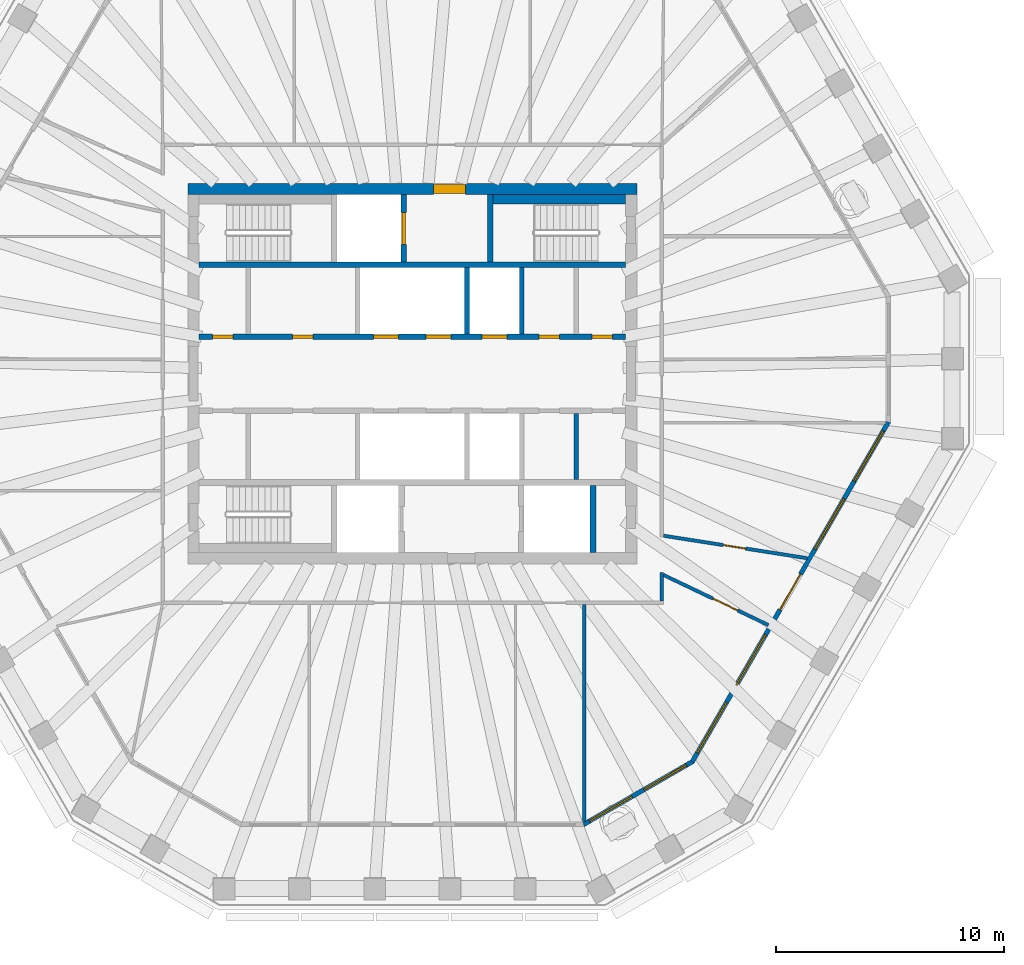
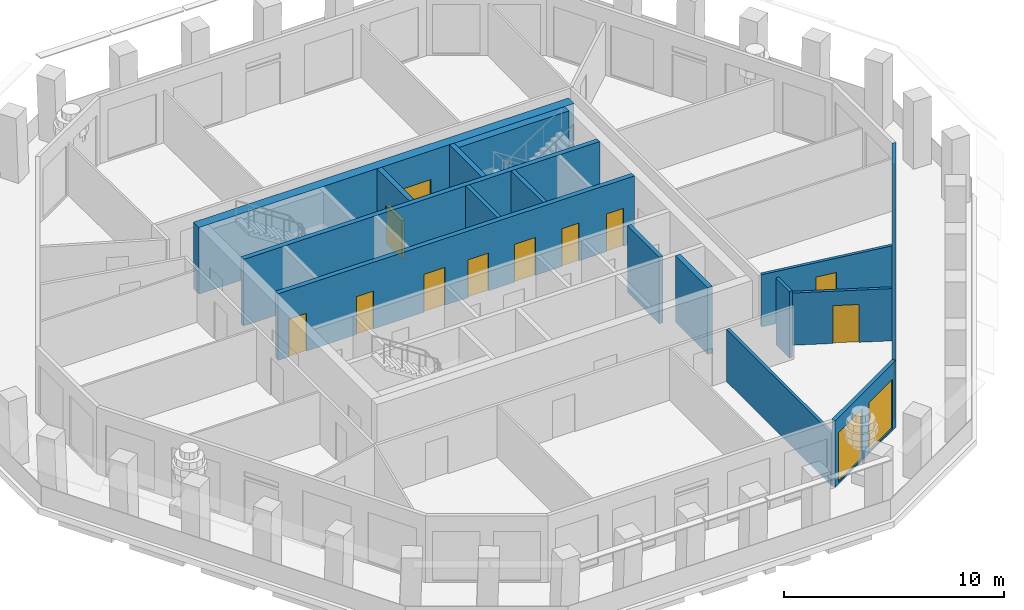
# One storey, part 5 of 11: 16 walls, 12 doors, 7 windows, 19 openings.
"""IFC4 building model written with IfcOpenShell, lengths in metres."""

import ifcopenshell
import ifcopenshell.guid

model = None  # the IFC model being written
_history = None  # IfcOwnerHistory: only IFC2X3 demands one
_inside = {}  # id of a spatial element -> (the spatial element, [elements in it])
_under = {}  # id of a project, library or spatial element -> (it, [spatial elements below it])
_declared = {}  # id of a project -> (the project, [libraries it declares])
_typed = {}  # id of a type object -> (the type object, [elements of that type])
_made_of = {}  # id of a material, layer set ... -> (it, [elements and type objects made of it])


def new_model(schema):
    """Start an empty IFC model of exactly this schema.

    Asked for "IFC4X3", IfcOpenShell would pick the latest addendum, in which some entities
    have other attributes; the version numbers below select the first issue.
    IFC2X3 requires an IfcOwnerHistory on every rooted entity: one is made here for all.
    """
    global model, _history
    if schema == "IFC4X3":
        model = ifcopenshell.file(schema_version=(4, 3, 0, 0))
    else:
        model = ifcopenshell.file(schema=schema)
    _inside.clear()
    _under.clear()
    _declared.clear()
    _typed.clear()
    _made_of.clear()
    _history = None
    if model.schema == "IFC2X3":
        org = make("IfcOrganization", Name="unknown")
        user = make(
            "IfcPersonAndOrganization",
            ThePerson=make("IfcPerson", FamilyName="unknown"),
            TheOrganization=org,
        )
        app = make(
            "IfcApplication",
            ApplicationDeveloper=org,
            Version="unknown",
            ApplicationFullName="unknown",
            ApplicationIdentifier="unknown",
        )
        _history = make(
            "IfcOwnerHistory",
            OwningUser=user,
            OwningApplication=app,
            ChangeAction="ADDED",
            CreationDate=0,
        )
    return model


def make(cls, **values):
    """One entity of the class cls with the attributes given. An attribute that is None is left unset."""
    return model.create_entity(
        cls, **{name: value for name, value in values.items() if value is not None}
    )


def rooted(cls, **values):
    """An entity with a GlobalId (a new one), such as an element, a storey or a relation."""
    return make(cls, GlobalId=ifcopenshell.guid.new(), OwnerHistory=_history, **values)


def si_unit(unit_type, name, prefix=None):
    """IfcSIUnit, for example si_unit("LENGTHUNIT", "METRE", prefix="MILLI")."""
    return make("IfcSIUnit", UnitType=unit_type, Prefix=prefix, Name=name)


def assignment(units):
    """IfcUnitAssignment: the units of a project."""
    return None if units is None else make("IfcUnitAssignment", Units=units)


def point(xyz):
    """IfcCartesianPoint."""
    return None if xyz is None else make("IfcCartesianPoint", Coordinates=xyz)


def direction(xyz):
    """IfcDirection."""
    return None if xyz is None else make("IfcDirection", DirectionRatios=xyz)


def frame(location, z_axis=None, x_axis=None):
    """IfcAxis2Placement3D, a coordinate frame: its origin and axes. An axis left out is left unset."""
    return make(
        "IfcAxis2Placement3D",
        Location=point(location),
        Axis=direction(z_axis),
        RefDirection=direction(x_axis),
    )


def frame_2d(location, x_axis=None):
    """IfcAxis2Placement2D, a coordinate frame in the plane: its origin and x axis."""
    return make(
        "IfcAxis2Placement2D", Location=point(location), RefDirection=direction(x_axis)
    )


def origin():
    """The frame at (0, 0, 0) with its axes left unset."""
    return frame((0.0, 0.0, 0.0))


def place(relative_to, where):
    """IfcLocalPlacement: puts the frame where relative to a parent placement (None: the world)."""
    return make(
        "IfcLocalPlacement", PlacementRelTo=relative_to, RelativePlacement=where
    )


def context(
    kind, dimensions, precision=None, world=None, true_north=None, identifier=None
):
    """IfcGeometricRepresentationContext, for example the 3D "Model" context."""
    return make(
        "IfcGeometricRepresentationContext",
        ContextIdentifier=identifier,
        ContextType=kind,
        CoordinateSpaceDimension=dimensions,
        Precision=precision,
        WorldCoordinateSystem=world,
        TrueNorth=true_north,
    )


def subcontext(parent, identifier, kind, view, scale=None):
    """IfcGeometricRepresentationSubContext, for example "Body" below "Model"."""
    return make(
        "IfcGeometricRepresentationSubContext",
        ContextIdentifier=identifier,
        ContextType=kind,
        ParentContext=parent,
        TargetScale=scale,
        TargetView=view,
    )


def project(units=None, contexts=None):
    """IfcProject with its units and contexts."""
    return rooted(
        "IfcProject",
        Name="project",
        RepresentationContexts=contexts,
        UnitsInContext=assignment(units),
    )


def spatial(cls, under=None, at=None, **own):
    """A site, building, storey or space (cls), placed at a placement, below another one or the project."""
    s = rooted(cls, ObjectPlacement=at, **own)
    if under is not None:
        _under.setdefault(under.id(), (under, []))[1].append(s)
    return s


def polyline(points):
    """IfcPolyline through the points."""
    return make("IfcPolyline", Points=[point(p) for p in points])


def profile(cls, at=None, kind="AREA", **sizes):
    """A parametric profile (cls). Its sizes go by their IFC names, for example OverallWidth=200.0."""
    return make(cls, ProfileType=kind, Position=at, **sizes)


def rectangle(**sizes):
    """IfcRectangleProfileDef."""
    return profile("IfcRectangleProfileDef", **sizes)


def outline(outer, holes=None, kind="AREA"):
    """IfcArbitraryClosedProfileDef: a profile drawn as a closed curve; with holes, ...WithVoids."""
    if holes is None:
        return make("IfcArbitraryClosedProfileDef", ProfileType=kind, OuterCurve=outer)
    return make(
        "IfcArbitraryProfileDefWithVoids",
        ProfileType=kind,
        OuterCurve=outer,
        InnerCurves=holes,
    )


def extrude(swept, where, along, depth):
    """IfcExtrudedAreaSolid: the profile swept, set in the frame where, extruded along a direction by depth."""
    return make(
        "IfcExtrudedAreaSolid",
        SweptArea=swept,
        Position=where,
        ExtrudedDirection=direction(along),
        Depth=depth,
    )


def shape(context_of_items, identifier, shape_type, items):
    """IfcShapeRepresentation: the items that make up one representation, for example the "Body"."""
    return make(
        "IfcShapeRepresentation",
        ContextOfItems=context_of_items,
        RepresentationIdentifier=identifier,
        RepresentationType=shape_type,
        Items=items,
    )


def material(Name=None, Category=None):
    """IfcMaterial."""
    return make("IfcMaterial", Name=Name, Category=Category)


def layer(
    of_material, thickness, ventilated=None, Name=None, Category=None, Priority=None
):
    """IfcMaterialLayer: one layer of a wall or slab, of a material (None: an air gap)."""
    return make(
        "IfcMaterialLayer",
        Material=of_material,
        LayerThickness=thickness,
        IsVentilated=ventilated,
        Name=Name,
        Category=Category,
        Priority=Priority,
    )


def layer_set(layers, Name=None):
    """IfcMaterialLayerSet."""
    return make("IfcMaterialLayerSet", MaterialLayers=layers, LayerSetName=Name)


def made_of(thing, what):
    """Note that an element or type object is made of a material, layer set ...; save() writes the relation."""
    if what is not None:
        _made_of.setdefault(what.id(), (what, []))[1].append(thing)
    return thing


def type_object(cls, material=None, **own):
    """A type object (cls), such as IfcWallType, which elements share."""
    return made_of(rooted(cls, **own), material)


def element(
    cls,
    number,
    at=None,
    inside=None,
    cuts=None,
    type_object=None,
    material=None,
    context=None,
    identifier="Body",
    shape_type=None,
    held_by="IfcProductDefinitionShape",
    body=None,
    shapes=None,
    **own,
):
    """One element of the class cls, such as IfcWall. Its Tag is "e" and its number.

    at: its placement. inside: the storey or other place that contains it. cuts: it is an
    opening in that element (IfcRelVoidsElement). A single representation is given by context,
    identifier, shape_type and body (its items); several are given by shapes. held_by: the class
    of the entity that holds the representations. save() writes the other relations.
    """
    e = rooted(cls, Tag="e%d" % number, ObjectPlacement=at, **own)
    if body is not None:
        shapes = [shape(context, identifier, shape_type, body)]
    if shapes is not None:
        e.Representation = make(held_by, Representations=shapes)
    if inside is not None:
        _inside.setdefault(inside.id(), (inside, []))[1].append(e)
    if cuts is not None:
        rooted(
            "IfcRelVoidsElement", RelatingBuildingElement=cuts, RelatedOpeningElement=e
        )
    if type_object is not None:
        _typed.setdefault(type_object.id(), (type_object, []))[1].append(e)
    return made_of(e, material)


def fill(opening, filler):
    """IfcRelFillsElement: the door or window that sits in an opening."""
    return rooted(
        "IfcRelFillsElement",
        RelatingOpeningElement=opening,
        RelatedBuildingElement=filler,
    )


def aggregate(whole, parts):
    """IfcRelAggregates: a whole, such as a stair, and the parts it consists of."""
    return rooted("IfcRelAggregates", RelatingObject=whole, RelatedObjects=parts)


def save(model, path):
    """Write the relations noted so far, then the file.

    IfcRelAggregates (storeys below a building ...), IfcRelContainedInSpatialStructure (elements
    in a storey), IfcRelDefinesByType, IfcRelAssociatesMaterial and IfcRelDeclares: one each for
    every whole, place, type object, material and project.
    """
    for whole, parts in _under.values():
        aggregate(whole, parts)
    for where, things in _inside.values():
        rooted(
            "IfcRelContainedInSpatialStructure",
            RelatedElements=things,
            RelatingStructure=where,
        )
    for kind, things in _typed.values():
        rooted("IfcRelDefinesByType", RelatedObjects=things, RelatingType=kind)
    for what, things in _made_of.values():
        rooted("IfcRelAssociatesMaterial", RelatedObjects=things, RelatingMaterial=what)
    for by, libraries in _declared.values():
        rooted("IfcRelDeclares", RelatingContext=by, RelatedDefinitions=libraries)
    model.write(path)


model = new_model("IFC4")

# Units and contexts
model_context = context("Model", 3, precision=1e-05, world=origin(), true_north=direction((0.0, 1.0)))
body_context = subcontext(model_context, "Body", "Model", "MODEL_VIEW")
ifc_project = project(units=[si_unit("LENGTHUNIT", "METRE"), si_unit("AREAUNIT", "SQUARE_METRE"), si_unit("VOLUMEUNIT", "CUBIC_METRE"), si_unit("PLANEANGLEUNIT", "RADIAN"), si_unit("MASSUNIT", "GRAM", prefix="KILO")], contexts=[model_context])

# Site, building, storey
site_placement = place(None, origin())
site = spatial("IfcSite", under=ifc_project, at=site_placement, CompositionType="ELEMENT")
building_placement = place(site_placement, origin())
building = spatial("IfcBuilding", under=site, at=building_placement, Name="Frailejon Research Tower", CompositionType="ELEMENT")
storey_placement = place(building_placement, frame((0.0, 0.0, 283.0)))
storey = spatial("IfcBuildingStorey", under=building, at=storey_placement, Name="L62", CompositionType="ELEMENT", Elevation=283.0)

# Wall, opening, door
ifc_material_1 = material(Name="Concrete C50/60", Category="concrete")
ifc_layer_1 = layer(ifc_material_1, 0.5)
ifc_layer_set_1 = layer_set([ifc_layer_1], Name="Core shear wall 500 C50/60")
wall_type_1 = type_object("IfcWallType", Name="Core shear wall 500 C50/60", PredefinedType="SHEAR", material=ifc_layer_set_1)
wall_1_placement = place(storey_placement, frame((-9.85009765625, 8.10009765625, 0.0), z_axis=(0.0, 0.0, 1.0), x_axis=(1.0, 0.0, 0.0)))
wall_1 = element("IfcWall", 1, at=wall_1_placement, inside=storey, type_object=wall_type_1, Name="Core shear wall", PredefinedType="SHEAR", context=body_context, shape_type="SweptSolid", body=[
    extrude(rectangle(XDim=19.7001953125, YDim=0.5, at=frame_2d((9.85009765625, 0.0))), origin(), (0.0, 0.0, 1.0), 3.699951171875),
])
opening_1_placement = place(wall_1_placement, frame((10.77490234375, 0.0, 0.0)))
opening_1 = element("IfcOpeningElement", 2, at=opening_1_placement, cuts=wall_1, Name="Opening D9", PredefinedType="OPENING", context=body_context, shape_type="SweptSolid", body=[
    extrude(rectangle(XDim=1.39990234375, YDim=2.10009765625, at=frame_2d((0.699951171875, 1.050048828125))), frame((0.0, 0.260009765625, 0.0), z_axis=(0.0, -1.0, 0.0), x_axis=(1.0, 0.0, 0.0)), (0.0, 0.0, 1.0), 0.52001953125),
])
ifc_material_2 = material(Name="Steel", Category="steel")
door_type_1 = type_object("IfcDoorType", Name="Goods lobby door", OperationType="DOUBLE_DOOR_SINGLE_SWING", PredefinedType="DOOR", material=ifc_material_2)
door_1_placement = place(opening_1_placement, origin())
door_1 = element("IfcDoor", 3, at=door_1_placement, inside=storey, type_object=door_type_1, Name="Goods lobby door", OperationType="DOUBLE_DOOR_SINGLE_SWING", OverallHeight=2.10009765625, OverallWidth=1.39990234375, PredefinedType="DOOR", context=body_context, shape_type="SweptSolid", body=[
    extrude(rectangle(XDim=1.39990234375, YDim=2.10009765625, at=frame_2d((0.699951171875, 1.050048828125))), frame((0.0, 0.199951171875, 0.0), z_axis=(0.0, -1.0, 0.0), x_axis=(1.0, 0.0, 0.0)), (0.0, 0.0, 1.0), 0.39990234375),
])
fill(opening_1, door_1)

ifc_material_3 = material(Name="Gypsum board and masonry partition", Category="masonry")
ifc_layer_2 = layer(ifc_material_3, 0.14990234375)
ifc_layer_set_2 = layer_set([ifc_layer_2], Name="Corridor wall EI 60, gypsum on steel studs 150")
wall_type_2 = type_object("IfcWallType", Name="Corridor wall EI 60, gypsum on steel studs 150", PredefinedType="PARTITIONING", material=ifc_layer_set_2)
wall_2_placement = place(storey_placement, frame((11.017578125, -8.832275390625, 0.0), z_axis=(0.0, 0.0, 1.0), x_axis=(0.902358965465, -0.430985263605, 0.0)))
wall_2 = element("IfcWall", 4, at=wall_2_placement, inside=storey, type_object=wall_type_2, Name="T:IW:L62:003", PredefinedType="PARTITIONING", context=body_context, shape_type="SweptSolid", body=[
    extrude(rectangle(XDim=5.10791015625, YDim=0.14990234375, at=frame_2d((2.553955078125, 0.0))), origin(), (0.0, 0.0, 1.0), 2.89990234375),
])
opening_2_placement = place(wall_2_placement, frame((2.40869140625, 0.0, 0.0)))
opening_2 = element("IfcOpeningElement", 5, at=opening_2_placement, cuts=wall_2, Name="Opening D2202", PredefinedType="OPENING", context=body_context, shape_type="SweptSolid", body=[
    extrude(rectangle(XDim=1.199951171875, YDim=2.10009765625, at=frame_2d((0.60009765625, 1.050048828125))), frame((0.0, 0.0849609375, 0.0), z_axis=(0.0, -1.0, 0.0), x_axis=(1.0, 0.0, 0.0)), (0.0, 0.0, 1.0), 0.169921875),
])
ifc_material_4 = material(Name="Timber door leaf", Category="wood")
door_type_2 = type_object("IfcDoorType", Name="Door laboratory, timber, vision panel 1200", OperationType="NOTDEFINED", PredefinedType="DOOR", material=ifc_material_4)
door_2_placement = place(opening_2_placement, origin())
door_2 = element("IfcDoor", 6, at=door_2_placement, inside=storey, type_object=door_type_2, Name="D2202", OperationType="DOUBLE_DOOR_SINGLE_SWING", OverallHeight=2.10009765625, OverallWidth=1.199951171875, PredefinedType="DOOR", context=body_context, shape_type="SweptSolid", body=[
    extrude(rectangle(XDim=1.199951171875, YDim=2.10009765625, at=frame_2d((0.60009765625, 1.050048828125))), frame((0.0, 0.02490234375, 0.0), z_axis=(0.0, -1.0, 0.0), x_axis=(1.0, 0.0, 0.0)), (0.0, 0.0, 1.0), 0.050048828125),
])
fill(opening_2, door_2)

wall_3_placement = place(storey_placement, frame((11.024169921875, -7.111572265625, 0.0), z_axis=(0.0, 0.0, 1.0), x_axis=(0.987981529177, -0.154571983245, 0.0)))
wall_3 = element("IfcWall", 7, at=wall_3_placement, inside=storey, type_object=wall_type_2, Name="T:IW:L62:004", PredefinedType="PARTITIONING", context=body_context, shape_type="SweptSolid", body=[
    extrude(rectangle(XDim=6.374755859375, YDim=0.14990234375, at=frame_2d((3.1875, 0.0))), origin(), (0.0, 0.0, 1.0), 2.89990234375),
])
opening_3_placement = place(wall_3_placement, frame((2.64990234375, 0.0, 0.0)))
opening_3 = element("IfcOpeningElement", 8, at=opening_3_placement, cuts=wall_3, Name="Opening D2203", PredefinedType="OPENING", context=body_context, shape_type="SweptSolid", body=[
    extrude(rectangle(XDim=1.0, YDim=2.10009765625, at=frame_2d((0.5, 1.050048828125))), frame((0.0, 0.0849609375, 0.0), z_axis=(0.0, -1.0, 0.0), x_axis=(1.0, 0.0, 0.0)), (0.0, 0.0, 1.0), 0.169921875),
])
ifc_material_5 = material(Name="Timber door leaf", Category="wood")
door_type_3 = type_object("IfcDoorType", Name="Door single leaf, timber, steel frame 1000", OperationType="NOTDEFINED", PredefinedType="DOOR", material=ifc_material_5)
door_3_placement = place(opening_3_placement, origin())
door_3 = element("IfcDoor", 9, at=door_3_placement, inside=storey, type_object=door_type_3, Name="D2203", OperationType="SINGLE_SWING_LEFT", OverallHeight=2.10009765625, OverallWidth=1.0, PredefinedType="DOOR", context=body_context, shape_type="SweptSolid", body=[
    extrude(rectangle(XDim=1.0, YDim=2.10009765625, at=frame_2d((0.5, 1.050048828125))), frame((0.0, 0.02490234375, 0.0), z_axis=(0.0, -1.0, 0.0), x_axis=(1.0, 0.0, 0.0)), (0.0, 0.0, 1.0), 0.050048828125),
])
fill(opening_3, door_3)

# Walls
wall_4_placement = place(storey_placement, frame((10.949951171875, -9.97509765625, 0.0), z_axis=(0.0, 0.0, 1.0), x_axis=(0.0, 1.0, 0.0)))
element("IfcWall", 10, at=wall_4_placement, inside=storey, type_object=wall_type_2, Name="T:IW:L62:005", PredefinedType="PARTITIONING", context=body_context, shape_type="SweptSolid", body=[
    extrude(rectangle(XDim=1.25, YDim=0.14990234375, at=frame_2d((0.625, 0.0))), origin(), (0.0, 0.0, 1.0), 3.699951171875),
])
ifc_material_6 = material(Name="Gypsum board and masonry partition", Category="masonry")
ifc_layer_3 = layer(ifc_material_6, 0.14990234375)
ifc_layer_set_3 = layer_set([ifc_layer_3], Name="Laboratory partition, blockwork 150")
wall_type_3 = type_object("IfcWallType", Name="Laboratory partition, blockwork 150", PredefinedType="PARTITIONING", material=ifc_layer_set_3)
wall_5_placement = place(storey_placement, frame((7.542724609375, -19.647705078125, 0.0), z_axis=(0.0, 0.0, 1.0), x_axis=(0.0, 1.0, 0.0)))
element("IfcWall", 11, at=wall_5_placement, inside=storey, type_object=wall_type_3, Name="T:IW:L62:013", PredefinedType="PARTITIONING", context=body_context, shape_type="SweptSolid", body=[
    extrude(rectangle(XDim=9.522705078125, YDim=0.14990234375, at=frame_2d((4.76123046875, 0.0))), origin(), (0.0, 0.0, 1.0), 2.89990234375),
])
ifc_material_7 = material(Name="Concrete C50/60", Category="concrete")
ifc_layer_4 = layer(ifc_material_7, 0.199951171875)
ifc_layer_set_4 = layer_set([ifc_layer_4], Name="Shaft wall 200 C50/60")
wall_type_4 = type_object("IfcWallType", Name="Shaft wall 200 C50/60", PredefinedType="SOLIDWALL", material=ifc_layer_set_4)
for number, where, z_axis, x_axis, name in (
    (12, (2.39990234375, 1.75, 0.0), (0.0, 0.0, 1.0), (0.0, 1.0, 0.0), "Shaft wall"),
    (13, (4.800048828125, 1.75, 0.0), (0.0, 0.0, 1.0), (0.0, 1.0, 0.0), "Shaft wall"),
    (14, (7.199951171875, -4.64990234375, 0.0), (0.0, 0.0, 1.0), (0.0, 1.0, 0.0), "Shaft wall"),
):
    element("IfcWall", number, at=place(storey_placement, frame(where, z_axis=z_axis, x_axis=x_axis)), inside=storey, type_object=wall_type_4, Name=name, PredefinedType="SOLIDWALL", context=body_context, shape_type="SweptSolid", body=[
        extrude(rectangle(XDim=2.89990234375, YDim=0.199951171875, at=frame_2d((1.449951171875, 0.0))), origin(), (0.0, 0.0, 1.0), 3.699951171875),
    ])

# Wall, openings, doors
ifc_material_8 = material(Name="Concrete C50/60", Category="concrete")
ifc_layer_5 = layer(ifc_material_8, 0.25)
ifc_layer_set_5 = layer_set([ifc_layer_5], Name="Shaft wall 250 C50/60")
wall_type_5 = type_object("IfcWallType", Name="Shaft wall 250 C50/60", PredefinedType="SOLIDWALL", material=ifc_layer_set_5)
wall_6_placement = place(storey_placement, frame((-9.35009765625, 1.625, 0.0), z_axis=(0.0, 0.0, 1.0), x_axis=(1.0, 0.0, 0.0)))
wall_6 = element("IfcWall", 15, at=wall_6_placement, inside=storey, type_object=wall_type_5, Name="Shaft wall", PredefinedType="SOLIDWALL", context=body_context, shape_type="SweptSolid", body=[
    extrude(rectangle(XDim=18.7001953125, YDim=0.25, at=frame_2d((9.35009765625, 0.0))), origin(), (0.0, 0.0, 1.0), 3.699951171875),
])
opening_4_placement = place(wall_6_placement, frame((7.64990234375, 0.0, 0.0)))
opening_4 = element("IfcOpeningElement", 16, at=opening_4_placement, cuts=wall_6, Name="Opening LD", PredefinedType="OPENING", context=body_context, shape_type="SweptSolid", body=[
    extrude(rectangle(XDim=1.10009765625, YDim=2.10009765625, at=frame_2d((0.550048828125, 1.050048828125))), frame((0.0, 0.135009765625, 0.0), z_axis=(0.0, -1.0, 0.0), x_axis=(1.0, 0.0, 0.0)), (0.0, 0.0, 1.0), 0.27001953125),
])
opening_5_placement = place(wall_6_placement, frame((9.949951171875, 0.0, 0.0)))
opening_5 = element("IfcOpeningElement", 17, at=opening_5_placement, cuts=wall_6, Name="Opening LD", PredefinedType="OPENING", context=body_context, shape_type="SweptSolid", body=[
    extrude(rectangle(XDim=1.10009765625, YDim=2.10009765625, at=frame_2d((0.550048828125, 1.050048828125))), frame((0.0, 0.135009765625, 0.0), z_axis=(0.0, -1.0, 0.0), x_axis=(1.0, 0.0, 0.0)), (0.0, 0.0, 1.0), 0.27001953125),
])
opening_6_placement = place(wall_6_placement, frame((12.39990234375, 0.0, 0.0)))
opening_6 = element("IfcOpeningElement", 18, at=opening_6_placement, cuts=wall_6, Name="Opening LD", PredefinedType="OPENING", context=body_context, shape_type="SweptSolid", body=[
    extrude(rectangle(XDim=1.10009765625, YDim=2.10009765625, at=frame_2d((0.550048828125, 1.050048828125))), frame((0.0, 0.135009765625, 0.0), z_axis=(0.0, -1.0, 0.0), x_axis=(1.0, 0.0, 0.0)), (0.0, 0.0, 1.0), 0.27001953125),
])
opening_7_placement = place(wall_6_placement, frame((0.574951171875, 0.0, 0.0)))
opening_7 = element("IfcOpeningElement", 19, at=opening_7_placement, cuts=wall_6, Name="Opening D8", PredefinedType="OPENING", context=body_context, shape_type="SweptSolid", body=[
    extrude(rectangle(XDim=0.89990234375, YDim=2.10009765625, at=frame_2d((0.449951171875, 1.050048828125))), frame((0.0, 0.135009765625, 0.0), z_axis=(0.0, -1.0, 0.0), x_axis=(1.0, 0.0, 0.0)), (0.0, 0.0, 1.0), 0.27001953125),
])
opening_8_placement = place(wall_6_placement, frame((4.10009765625, 0.0, 0.0)))
opening_8 = element("IfcOpeningElement", 20, at=opening_8_placement, cuts=wall_6, Name="Opening D8", PredefinedType="OPENING", context=body_context, shape_type="SweptSolid", body=[
    extrude(rectangle(XDim=0.89990234375, YDim=2.10009765625, at=frame_2d((0.449951171875, 1.050048828125))), frame((0.0, 0.135009765625, 0.0), z_axis=(0.0, -1.0, 0.0), x_axis=(1.0, 0.0, 0.0)), (0.0, 0.0, 1.0), 0.27001953125),
])
opening_9_placement = place(wall_6_placement, frame((14.89990234375, 0.0, 0.0)))
opening_9 = element("IfcOpeningElement", 21, at=opening_9_placement, cuts=wall_6, Name="Opening D8", PredefinedType="OPENING", context=body_context, shape_type="SweptSolid", body=[
    extrude(rectangle(XDim=0.89990234375, YDim=2.10009765625, at=frame_2d((0.449951171875, 1.050048828125))), frame((0.0, 0.135009765625, 0.0), z_axis=(0.0, -1.0, 0.0), x_axis=(1.0, 0.0, 0.0)), (0.0, 0.0, 1.0), 0.27001953125),
])
opening_10_placement = place(wall_6_placement, frame((17.22509765625, 0.0, 0.0)))
opening_10 = element("IfcOpeningElement", 22, at=opening_10_placement, cuts=wall_6, Name="Opening D8", PredefinedType="OPENING", context=body_context, shape_type="SweptSolid", body=[
    extrude(rectangle(XDim=0.89990234375, YDim=2.10009765625, at=frame_2d((0.449951171875, 1.050048828125))), frame((0.0, 0.135009765625, 0.0), z_axis=(0.0, -1.0, 0.0), x_axis=(1.0, 0.0, 0.0)), (0.0, 0.0, 1.0), 0.27001953125),
])
ifc_material_9 = material(Name="Steel", Category="steel")
door_type_4 = type_object("IfcDoorType", Name="Core room door", OperationType="SINGLE_SWING_LEFT", PredefinedType="DOOR", material=ifc_material_9)
door_4_placement = place(opening_7_placement, origin())
door_4 = element("IfcDoor", 23, at=door_4_placement, inside=storey, type_object=door_type_4, Name="Room door", OperationType="SINGLE_SWING_RIGHT", OverallHeight=2.10009765625, OverallWidth=0.89990234375, PredefinedType="DOOR", context=body_context, shape_type="SweptSolid", body=[
    extrude(rectangle(XDim=0.89990234375, YDim=2.10009765625, at=frame_2d((0.449951171875, 1.050048828125))), frame((0.0, 0.074951171875, 0.0), z_axis=(0.0, -1.0, 0.0), x_axis=(1.0, 0.0, 0.0)), (0.0, 0.0, 1.0), 0.14990234375),
])
fill(opening_7, door_4)
door_5_placement = place(opening_8_placement, origin())
door_5 = element("IfcDoor", 24, at=door_5_placement, inside=storey, type_object=door_type_4, Name="Room door", OperationType="SINGLE_SWING_LEFT", OverallHeight=2.10009765625, OverallWidth=0.89990234375, PredefinedType="DOOR", context=body_context, shape_type="SweptSolid", body=[
    extrude(rectangle(XDim=0.89990234375, YDim=2.10009765625, at=frame_2d((0.449951171875, 1.050048828125))), frame((0.0, 0.074951171875, 0.0), z_axis=(0.0, -1.0, 0.0), x_axis=(1.0, 0.0, 0.0)), (0.0, 0.0, 1.0), 0.14990234375),
])
fill(opening_8, door_5)
door_6_placement = place(opening_9_placement, origin())
door_6 = element("IfcDoor", 25, at=door_6_placement, inside=storey, type_object=door_type_4, Name="Room door", OperationType="SINGLE_SWING_RIGHT", OverallHeight=2.10009765625, OverallWidth=0.89990234375, PredefinedType="DOOR", context=body_context, shape_type="SweptSolid", body=[
    extrude(rectangle(XDim=0.89990234375, YDim=2.10009765625, at=frame_2d((0.449951171875, 1.050048828125))), frame((0.0, 0.074951171875, 0.0), z_axis=(0.0, -1.0, 0.0), x_axis=(1.0, 0.0, 0.0)), (0.0, 0.0, 1.0), 0.14990234375),
])
fill(opening_9, door_6)
door_7_placement = place(opening_10_placement, origin())
door_7 = element("IfcDoor", 26, at=door_7_placement, inside=storey, type_object=door_type_4, Name="Room door", OperationType="SINGLE_SWING_LEFT", OverallHeight=2.10009765625, OverallWidth=0.89990234375, PredefinedType="DOOR", context=body_context, shape_type="SweptSolid", body=[
    extrude(rectangle(XDim=0.89990234375, YDim=2.10009765625, at=frame_2d((0.449951171875, 1.050048828125))), frame((0.0, 0.074951171875, 0.0), z_axis=(0.0, -1.0, 0.0), x_axis=(1.0, 0.0, 0.0)), (0.0, 0.0, 1.0), 0.14990234375),
])
fill(opening_10, door_7)
ifc_material_10 = material(Name="Steel", Category="steel")
door_type_5 = type_object("IfcDoorType", Name="Lift landing door", OperationType="DOUBLE_DOOR_SLIDING", PredefinedType="DOOR", material=ifc_material_10)
door_8_placement = place(opening_4_placement, origin())
door_8 = element("IfcDoor", 27, at=door_8_placement, inside=storey, type_object=door_type_5, Name="Lift landing door", OperationType="DOUBLE_DOOR_SLIDING", OverallHeight=2.10009765625, OverallWidth=1.10009765625, PredefinedType="DOOR", context=body_context, shape_type="SweptSolid", body=[
    extrude(rectangle(XDim=1.10009765625, YDim=2.10009765625, at=frame_2d((0.550048828125, 1.050048828125))), frame((0.0, 0.074951171875, 0.0), z_axis=(0.0, -1.0, 0.0), x_axis=(1.0, 0.0, 0.0)), (0.0, 0.0, 1.0), 0.14990234375),
])
fill(opening_4, door_8)
door_9_placement = place(opening_5_placement, origin())
door_9 = element("IfcDoor", 28, at=door_9_placement, inside=storey, type_object=door_type_5, Name="Lift landing door", OperationType="DOUBLE_DOOR_SLIDING", OverallHeight=2.10009765625, OverallWidth=1.10009765625, PredefinedType="DOOR", context=body_context, shape_type="SweptSolid", body=[
    extrude(rectangle(XDim=1.10009765625, YDim=2.10009765625, at=frame_2d((0.550048828125, 1.050048828125))), frame((0.0, 0.074951171875, 0.0), z_axis=(0.0, -1.0, 0.0), x_axis=(1.0, 0.0, 0.0)), (0.0, 0.0, 1.0), 0.14990234375),
])
fill(opening_5, door_9)
door_10_placement = place(opening_6_placement, origin())
door_10 = element("IfcDoor", 29, at=door_10_placement, inside=storey, type_object=door_type_5, Name="Lift landing door", OperationType="DOUBLE_DOOR_SLIDING", OverallHeight=2.10009765625, OverallWidth=1.10009765625, PredefinedType="DOOR", context=body_context, shape_type="SweptSolid", body=[
    extrude(rectangle(XDim=1.10009765625, YDim=2.10009765625, at=frame_2d((0.550048828125, 1.050048828125))), frame((0.0, 0.074951171875, 0.0), z_axis=(0.0, -1.0, 0.0), x_axis=(1.0, 0.0, 0.0)), (0.0, 0.0, 1.0), 0.14990234375),
])
fill(opening_6, door_10)

# Wall
wall_7_placement = place(storey_placement, frame((-9.35009765625, 4.77490234375, 0.0), z_axis=(0.0, 0.0, 1.0), x_axis=(1.0, 0.0, 0.0)))
element("IfcWall", 30, at=wall_7_placement, inside=storey, type_object=wall_type_5, Name="Shaft wall", PredefinedType="SOLIDWALL", context=body_context, shape_type="SweptSolid", body=[
    extrude(rectangle(XDim=18.7001953125, YDim=0.25, at=frame_2d((9.35009765625, 0.0))), origin(), (0.0, 0.0, 1.0), 3.699951171875),
])

# Wall, opening, door
wall_8_placement = place(storey_placement, frame((-0.375, 4.89990234375, 0.0), z_axis=(0.0, 0.0, 1.0), x_axis=(0.0, 1.0, 0.0)))
wall_8 = element("IfcWall", 31, at=wall_8_placement, inside=storey, type_object=wall_type_5, Name="Shaft wall", PredefinedType="SOLIDWALL", context=body_context, shape_type="SweptSolid", body=[
    extrude(rectangle(XDim=2.9501953125, YDim=0.25, at=frame_2d((1.47509765625, 0.0))), origin(), (0.0, 0.0, 1.0), 3.699951171875),
])
opening_11_placement = place(wall_8_placement, frame((0.77490234375, 0.0, 0.0)))
opening_11 = element("IfcOpeningElement", 32, at=opening_11_placement, cuts=wall_8, Name="Opening LD2", PredefinedType="OPENING", context=body_context, shape_type="SweptSolid", body=[
    extrude(rectangle(XDim=1.39990234375, YDim=2.10009765625, at=frame_2d((0.699951171875, 1.050048828125))), frame((0.0, 0.135009765625, 0.0), z_axis=(0.0, -1.0, 0.0), x_axis=(1.0, 0.0, 0.0)), (0.0, 0.0, 1.0), 0.27001953125),
])
ifc_material_11 = material(Name="Stainless steel", Category="steel")
door_type_6 = type_object("IfcDoorType", Name="Goods landing door", OperationType="DOUBLE_DOOR_SLIDING", PredefinedType="DOOR", material=ifc_material_11)
door_11_placement = place(opening_11_placement, origin())
door_11 = element("IfcDoor", 33, at=door_11_placement, inside=storey, type_object=door_type_6, Name="Lift landing door", OperationType="DOUBLE_DOOR_SLIDING", OverallHeight=2.10009765625, OverallWidth=1.39990234375, PredefinedType="DOOR", context=body_context, shape_type="SweptSolid", body=[
    extrude(rectangle(XDim=1.39990234375, YDim=2.10009765625, at=frame_2d((0.699951171875, 1.050048828125))), frame((0.0, 0.074951171875, 0.0), z_axis=(0.0, -1.0, 0.0), x_axis=(1.0, 0.0, 0.0)), (0.0, 0.0, 1.0), 0.14990234375),
])
fill(opening_11, door_11)

# Walls
for number, where, z_axis, x_axis, name in (
    (34, (3.425048828125, 4.89990234375, 0.0), (0.0, 0.0, 1.0), (0.0, 1.0, 0.0), "Shaft wall"),
    (35, (7.925048828125, -7.85009765625, 0.0), (0.0, 0.0, 1.0), (0.0, 1.0, 0.0), "Shaft wall"),
):
    element("IfcWall", number, at=place(storey_placement, frame(where, z_axis=z_axis, x_axis=x_axis)), inside=storey, type_object=wall_type_5, Name=name, PredefinedType="SOLIDWALL", context=body_context, shape_type="SweptSolid", body=[
        extrude(rectangle(XDim=2.9501953125, YDim=0.25, at=frame_2d((1.47509765625, 0.0))), origin(), (0.0, 0.0, 1.0), 3.699951171875),
    ])
ifc_material_12 = material(Name="Concrete C50/60", Category="concrete")
ifc_layer_6 = layer(ifc_material_12, 0.39990234375)
ifc_layer_set_6 = layer_set([ifc_layer_6], Name="Shaft wall 400 C50/60")
wall_type_6 = type_object("IfcWallType", Name="Shaft wall 400 C50/60", PredefinedType="SOLIDWALL", material=ifc_layer_set_6)
wall_9_placement = place(storey_placement, frame((3.550048828125, 7.64990234375, 0.0), z_axis=(0.0, 0.0, 1.0), x_axis=(1.0, 0.0, 0.0)))
element("IfcWall", 36, at=wall_9_placement, inside=storey, type_object=wall_type_6, Name="Shaft wall", PredefinedType="SOLIDWALL", context=body_context, shape_type="SweptSolid", body=[
    extrude(rectangle(XDim=5.800048828125, YDim=0.39990234375, at=frame_2d((2.89990234375, 0.0))), origin(), (0.0, 0.0, 1.0), 3.699951171875),
])

# Wall, openings, windows
ifc_material_13 = material(Name="Concrete C40/50 precast window wall panel", Category="concrete")
ifc_layer_7 = layer(ifc_material_13, 0.199951171875)
ifc_layer_set_7 = layer_set([ifc_layer_7], Name="Window wall 200")
wall_type_7 = type_object("IfcWallType", Name="Window wall 200", PredefinedType="SOLIDWALL", material=ifc_layer_set_7)
wall_10_placement = place(storey_placement, frame((7.51611328125, -19.778564453125, 0.0), z_axis=(0.0, 0.0, 1.0), x_axis=(0.866014926636, 0.500018146515, 0.0)))
wall_10 = element("IfcWall", 37, at=wall_10_placement, inside=storey, type_object=wall_type_7, Name="Exterior wall L62", PredefinedType="SOLIDWALL", context=body_context, shape_type="SweptSolid", body=[
    extrude(outline(polyline([(-0.02685546875, -0.10009765625), (1.08447265625, -0.10009765625), (2.19580078125, -0.10009765625), (3.307373046875, -0.10009765625), (4.418701171875, -0.10009765625), (5.530029296875, -0.10009765625), (5.476318359375, 0.10009765625), (4.386474609375, 0.10009765625), (3.296630859375, 0.10009765625), (2.20654296875, 0.10009765625), (1.11669921875, 0.10009765625), (0.02685546875, 0.10009765625), (-0.02685546875, -0.10009765625)])), origin(), (0.0, 0.0, 1.0), 3.699951171875),
])
opening_12_placement = place(wall_10_placement, frame((0.30078125, 0.0, 0.10009765625)))
opening_12 = element("IfcOpeningElement", 38, at=opening_12_placement, cuts=wall_10, Name="Opening W22", PredefinedType="OPENING", context=body_context, shape_type="SweptSolid", body=[
    extrude(rectangle(XDim=2.14990234375, YDim=2.75, at=frame_2d((1.074951171875, 1.375))), frame((0.0, 0.10986328125, 0.0), z_axis=(0.0, -1.0, 0.0), x_axis=(1.0, 0.0, 0.0)), (0.0, 0.0, 1.0), 0.219970703125),
])
opening_13_placement = place(wall_10_placement, frame((3.052490234375, 0.0, 0.10009765625)))
opening_13 = element("IfcOpeningElement", 39, at=opening_13_placement, cuts=wall_10, Name="Opening W22", PredefinedType="OPENING", context=body_context, shape_type="SweptSolid", body=[
    extrude(rectangle(XDim=2.14990234375, YDim=2.75, at=frame_2d((1.074951171875, 1.375))), frame((0.0, 0.10986328125, 0.0), z_axis=(0.0, -1.0, 0.0), x_axis=(1.0, 0.0, 0.0)), (0.0, 0.0, 1.0), 0.219970703125),
])
ifc_material_14 = material(Name="Aluminium framed double glazing", Category="aluminium")
window_type_1 = type_object("IfcWindowType", Name="Window 2150x2750", PartitioningType="SINGLE_PANEL", PredefinedType="WINDOW", material=ifc_material_14)
window_1_placement = place(opening_12_placement, origin())
window_1 = element("IfcWindow", 40, at=window_1_placement, inside=storey, type_object=window_type_1, Name="Window L62", OverallHeight=2.75, OverallWidth=2.14990234375, PartitioningType="SINGLE_PANEL", PredefinedType="WINDOW", context=body_context, shape_type="SweptSolid", body=[
    extrude(rectangle(XDim=2.14990234375, YDim=2.75, at=frame_2d((1.074951171875, 1.375))), frame((0.0, 0.030029296875, 0.0), z_axis=(0.0, -1.0, 0.0), x_axis=(1.0, 0.0, 0.0)), (0.0, 0.0, 1.0), 0.06005859375),
])
fill(opening_12, window_1)
window_2_placement = place(opening_13_placement, origin())
window_2 = element("IfcWindow", 41, at=window_2_placement, inside=storey, type_object=window_type_1, Name="Window L62", OverallHeight=2.75, OverallWidth=2.14990234375, PartitioningType="SINGLE_PANEL", PredefinedType="WINDOW", context=body_context, shape_type="SweptSolid", body=[
    extrude(rectangle(XDim=2.14990234375, YDim=2.75, at=frame_2d((1.074951171875, 1.375))), frame((0.0, 0.030029296875, 0.0), z_axis=(0.0, -1.0, 0.0), x_axis=(1.0, 0.0, 0.0)), (0.0, 0.0, 1.0), 0.06005859375),
])
fill(opening_13, window_2)

# Wall, openings, door, windows
wall_11_placement = place(storey_placement, frame((12.281982421875, -17.02685546875, 0.0), z_axis=(0.0, 0.0, 1.0), x_axis=(0.500006945931, 0.866021393512, 0.0)))
wall_11 = element("IfcWall", 42, at=wall_11_placement, inside=storey, type_object=wall_type_7, Name="Exterior wall L62", PredefinedType="SOLIDWALL", context=body_context, shape_type="SweptSolid", body=[
    extrude(outline(polyline([(-0.02685546875, -0.10009765625), (0.988525390625, -0.10009765625), (2.004150390625, -0.10009765625), (3.01953125, -0.10009765625), (4.034912109375, -0.10009765625), (5.050537109375, -0.10009765625), (6.06591796875, -0.10009765625), (7.081298828125, -0.10009765625), (8.096923828125, -0.10009765625), (9.1123046875, -0.10009765625), (10.1279296875, -0.10009765625), (11.143310546875, -0.10009765625), (12.15869140625, -0.10009765625), (13.17431640625, -0.10009765625), (14.189697265625, -0.10009765625), (15.205078125, -0.10009765625), (16.220703125, -0.10009765625), (17.236083984375, -0.10009765625), (17.182373046875, 0.10009765625), (16.17333984375, 0.10009765625), (15.1640625, 0.10009765625), (14.155029296875, 0.10009765625), (13.145751953125, 0.10009765625), (12.13671875, 0.10009765625), (11.12744140625, 0.10009765625), (10.118408203125, 0.10009765625), (9.109130859375, 0.10009765625), (8.10009765625, 0.10009765625), (7.0908203125, 0.10009765625), (6.081787109375, 0.10009765625), (5.072509765625, 0.10009765625), (4.0634765625, 0.10009765625), (3.05419921875, 0.10009765625), (2.045166015625, 0.10009765625), (1.035888671875, 0.10009765625), (0.02685546875, 0.10009765625), (-0.02685546875, -0.10009765625)])), origin(), (0.0, 0.0, 1.0), 3.699951171875),
])
opening_14_placement = place(wall_11_placement, frame((0.44580078125, 0.0, 0.10009765625)))
opening_14 = element("IfcOpeningElement", 43, at=opening_14_placement, cuts=wall_11, Name="Opening W25", PredefinedType="OPENING", context=body_context, shape_type="SweptSolid", body=[
    extrude(rectangle(XDim=2.550048828125, YDim=2.75, at=frame_2d((1.27490234375, 1.375))), frame((0.0, 0.10986328125, 0.0), z_axis=(0.0, -1.0, 0.0), x_axis=(1.0, 0.0, 0.0)), (0.0, 0.0, 1.0), 0.219970703125),
])
opening_15_placement = place(wall_11_placement, frame((3.8876953125, 0.0, 0.10009765625)))
opening_15 = element("IfcOpeningElement", 44, at=opening_15_placement, cuts=wall_11, Name="Opening W25", PredefinedType="OPENING", context=body_context, shape_type="SweptSolid", body=[
    extrude(rectangle(XDim=2.550048828125, YDim=2.75, at=frame_2d((1.27490234375, 1.375))), frame((0.0, 0.10986328125, 0.0), z_axis=(0.0, -1.0, 0.0), x_axis=(1.0, 0.0, 0.0)), (0.0, 0.0, 1.0), 0.219970703125),
])
opening_16_placement = place(wall_11_placement, frame((7.70458984375, 0.0, 0.0)))
opening_16 = element("IfcOpeningElement", 45, at=opening_16_placement, cuts=wall_11, Name="Opening LG62-6", PredefinedType="OPENING", context=body_context, shape_type="SweptSolid", body=[
    extrude(rectangle(XDim=1.800048828125, YDim=2.39990234375, at=frame_2d((0.89990234375, 1.199951171875))), frame((0.0, 0.10986328125, 0.0), z_axis=(0.0, -1.0, 0.0), x_axis=(1.0, 0.0, 0.0)), (0.0, 0.0, 1.0), 0.219970703125),
])
opening_17_placement = place(wall_11_placement, frame((7.70458984375, 0.0, 2.550048828125)))
opening_17 = element("IfcOpeningElement", 46, at=opening_17_placement, cuts=wall_11, Name="Opening W24", PredefinedType="OPENING", context=body_context, shape_type="SweptSolid", body=[
    extrude(rectangle(XDim=1.800048828125, YDim=0.300048828125, at=frame_2d((0.89990234375, 0.14990234375))), frame((0.0, 0.10986328125, 0.0), z_axis=(0.0, -1.0, 0.0), x_axis=(1.0, 0.0, 0.0)), (0.0, 0.0, 1.0), 0.219970703125),
])
opening_18_placement = place(wall_11_placement, frame((10.771484375, 0.0, 0.10009765625)))
opening_18 = element("IfcOpeningElement", 47, at=opening_18_placement, cuts=wall_11, Name="Opening W25", PredefinedType="OPENING", context=body_context, shape_type="SweptSolid", body=[
    extrude(rectangle(XDim=2.550048828125, YDim=2.75, at=frame_2d((1.27490234375, 1.375))), frame((0.0, 0.10986328125, 0.0), z_axis=(0.0, -1.0, 0.0), x_axis=(1.0, 0.0, 0.0)), (0.0, 0.0, 1.0), 0.219970703125),
])
opening_19_placement = place(wall_11_placement, frame((14.21337890625, 0.0, 0.10009765625)))
opening_19 = element("IfcOpeningElement", 48, at=opening_19_placement, cuts=wall_11, Name="Opening W25", PredefinedType="OPENING", context=body_context, shape_type="SweptSolid", body=[
    extrude(rectangle(XDim=2.550048828125, YDim=2.75, at=frame_2d((1.27490234375, 1.375))), frame((0.0, 0.10986328125, 0.0), z_axis=(0.0, -1.0, 0.0), x_axis=(1.0, 0.0, 0.0)), (0.0, 0.0, 1.0), 0.219970703125),
])
ifc_material_15 = material(Name="Aluminium framed glazed door leaf", Category="aluminium")
door_type_7 = type_object("IfcDoorType", Name="Loggia door 1800x2400", OperationType="DOUBLE_DOOR_SINGLE_SWING", PredefinedType="DOOR", material=ifc_material_15)
door_12_placement = place(opening_16_placement, origin())
door_12 = element("IfcDoor", 49, at=door_12_placement, inside=storey, type_object=door_type_7, Name="Door LG62-6", OperationType="DOUBLE_DOOR_SINGLE_SWING", OverallHeight=2.39990234375, OverallWidth=1.800048828125, PredefinedType="DOOR", context=body_context, shape_type="SweptSolid", body=[
    extrude(rectangle(XDim=1.800048828125, YDim=2.39990234375, at=frame_2d((0.89990234375, 1.199951171875))), frame((0.0, 0.02490234375, 0.0), z_axis=(0.0, -1.0, 0.0), x_axis=(1.0, 0.0, 0.0)), (0.0, 0.0, 1.0), 0.050048828125),
])
fill(opening_16, door_12)
ifc_material_16 = material(Name="Aluminium framed double glazing", Category="aluminium")
window_type_2 = type_object("IfcWindowType", Name="Window 1800x300", PartitioningType="SINGLE_PANEL", PredefinedType="WINDOW", material=ifc_material_16)
window_3_placement = place(opening_17_placement, origin())
window_3 = element("IfcWindow", 50, at=window_3_placement, inside=storey, type_object=window_type_2, Name="Window L62", OverallHeight=0.300048828125, OverallWidth=1.800048828125, PartitioningType="SINGLE_PANEL", PredefinedType="WINDOW", context=body_context, shape_type="SweptSolid", body=[
    extrude(rectangle(XDim=1.800048828125, YDim=0.300048828125, at=frame_2d((0.89990234375, 0.14990234375))), frame((0.0, 0.030029296875, 0.0), z_axis=(0.0, -1.0, 0.0), x_axis=(1.0, 0.0, 0.0)), (0.0, 0.0, 1.0), 0.06005859375),
])
fill(opening_17, window_3)
ifc_material_17 = material(Name="Aluminium framed double glazing", Category="aluminium")
window_type_3 = type_object("IfcWindowType", Name="Window 2550x2750", PartitioningType="SINGLE_PANEL", PredefinedType="WINDOW", material=ifc_material_17)
window_4_placement = place(opening_14_placement, origin())
window_4 = element("IfcWindow", 51, at=window_4_placement, inside=storey, type_object=window_type_3, Name="Window L62", OverallHeight=2.75, OverallWidth=2.550048828125, PartitioningType="SINGLE_PANEL", PredefinedType="WINDOW", context=body_context, shape_type="SweptSolid", body=[
    extrude(rectangle(XDim=2.550048828125, YDim=2.75, at=frame_2d((1.27490234375, 1.375))), frame((0.0, 0.030029296875, 0.0), z_axis=(0.0, -1.0, 0.0), x_axis=(1.0, 0.0, 0.0)), (0.0, 0.0, 1.0), 0.06005859375),
])
fill(opening_14, window_4)
window_5_placement = place(opening_15_placement, origin())
window_5 = element("IfcWindow", 52, at=window_5_placement, inside=storey, type_object=window_type_3, Name="Window L62", OverallHeight=2.75, OverallWidth=2.550048828125, PartitioningType="SINGLE_PANEL", PredefinedType="WINDOW", context=body_context, shape_type="SweptSolid", body=[
    extrude(rectangle(XDim=2.550048828125, YDim=2.75, at=frame_2d((1.27490234375, 1.375))), frame((0.0, 0.030029296875, 0.0), z_axis=(0.0, -1.0, 0.0), x_axis=(1.0, 0.0, 0.0)), (0.0, 0.0, 1.0), 0.06005859375),
])
fill(opening_15, window_5)
window_6_placement = place(opening_18_placement, origin())
window_6 = element("IfcWindow", 53, at=window_6_placement, inside=storey, type_object=window_type_3, Name="Window L62", OverallHeight=2.75, OverallWidth=2.550048828125, PartitioningType="SINGLE_PANEL", PredefinedType="WINDOW", context=body_context, shape_type="SweptSolid", body=[
    extrude(rectangle(XDim=2.550048828125, YDim=2.75, at=frame_2d((1.27490234375, 1.375))), frame((0.0, 0.030029296875, 0.0), z_axis=(0.0, -1.0, 0.0), x_axis=(1.0, 0.0, 0.0)), (0.0, 0.0, 1.0), 0.06005859375),
])
fill(opening_18, window_6)
window_7_placement = place(opening_19_placement, origin())
window_7 = element("IfcWindow", 54, at=window_7_placement, inside=storey, type_object=window_type_3, Name="Window L62", OverallHeight=2.75, OverallWidth=2.550048828125, PartitioningType="SINGLE_PANEL", PredefinedType="WINDOW", context=body_context, shape_type="SweptSolid", body=[
    extrude(rectangle(XDim=2.550048828125, YDim=2.75, at=frame_2d((1.27490234375, 1.375))), frame((0.0, 0.030029296875, 0.0), z_axis=(0.0, -1.0, 0.0), x_axis=(1.0, 0.0, 0.0)), (0.0, 0.0, 1.0), 0.06005859375),
])
fill(opening_19, window_7)

save(model, "model.ifc")
